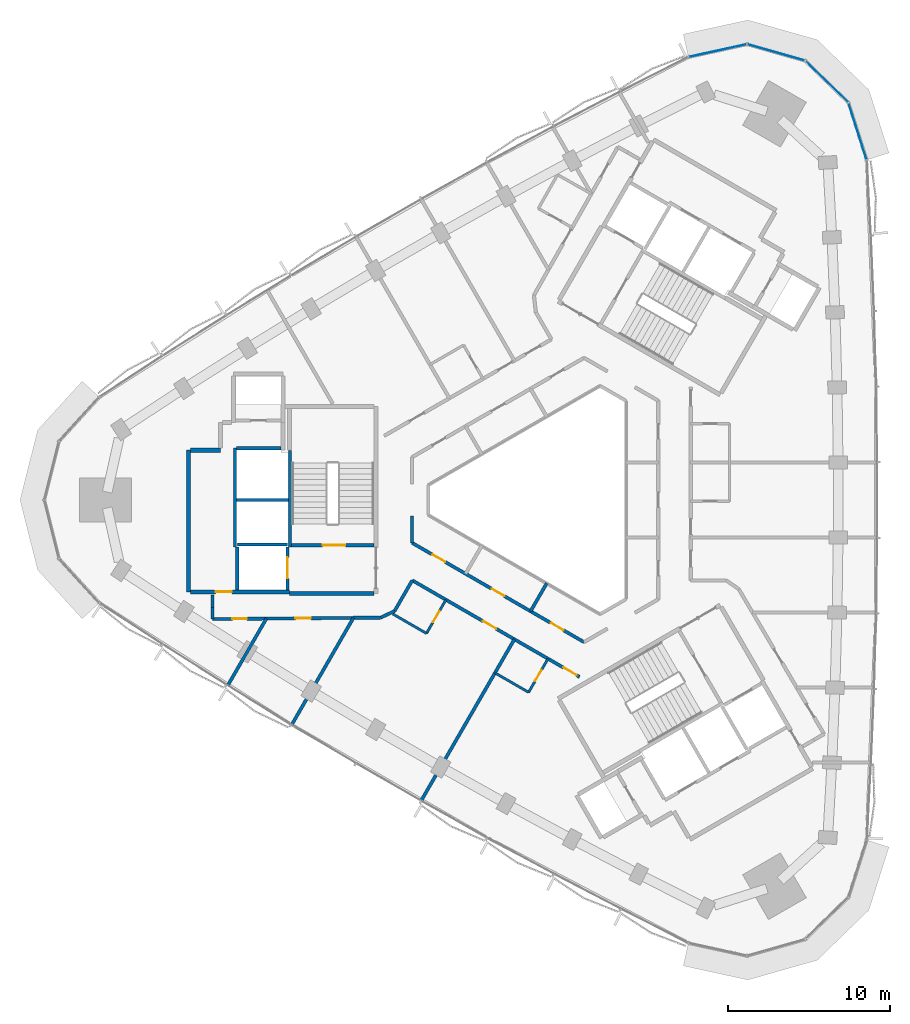
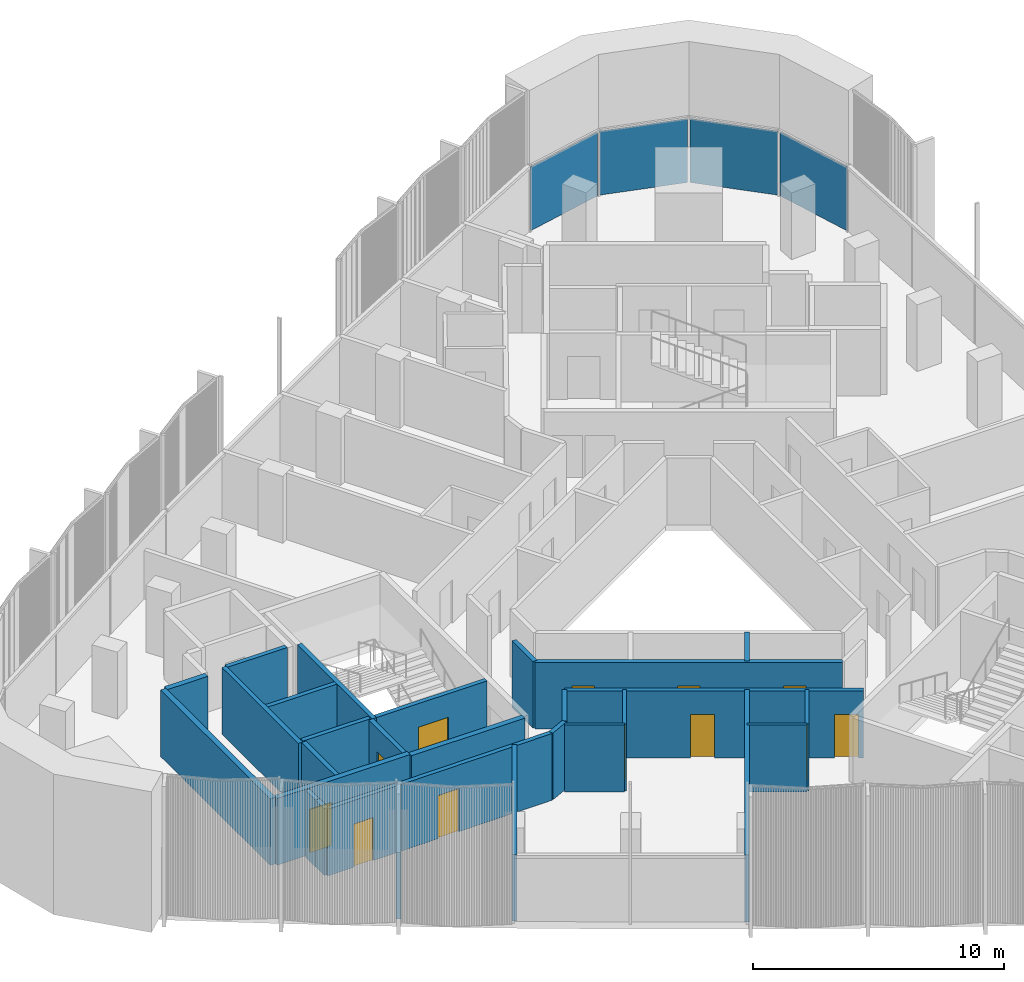
# One storey, part 7 of 14: 28 walls, 12 doors, 4 plates, 12 openings, 1 element without a shape of its own.
"""IFC4 building model written with IfcOpenShell, lengths in metres."""

from ifc_helpers import new_model, si_unit, direction, frame, frame_2d, origin, origin_2d, place, context, subcontext, project, spatial, rectangle, extrude, material, layer, layer_set, type_object, element, fill, aggregate, save


model = new_model("IFC4")

# Units and contexts
model_context = context("Model", 3, precision=1e-05, world=origin(), true_north=direction((0.0, 1.0)))
body_context = subcontext(model_context, "Body", "Model", "MODEL_VIEW")
ifc_project = project(units=[si_unit("LENGTHUNIT", "METRE"), si_unit("AREAUNIT", "SQUARE_METRE"), si_unit("VOLUMEUNIT", "CUBIC_METRE"), si_unit("PLANEANGLEUNIT", "RADIAN"), si_unit("MASSUNIT", "GRAM", prefix="KILO")], contexts=[model_context])

# Site, building, storey
site_placement = place(None, origin())
site = spatial("IfcSite", under=ifc_project, at=site_placement, CompositionType="ELEMENT")
building_placement = place(site_placement, origin())
building = spatial("IfcBuilding", under=site, at=building_placement, Name="Tamra Quay Hotel Tower", CompositionType="ELEMENT")
storey_placement = place(building_placement, frame((0.0, 0.0, 197.199951171875)))
storey = spatial("IfcBuildingStorey", under=building, at=storey_placement, Name="L49", CompositionType="ELEMENT", Elevation=197.199951171875)

# Curtain wall, plates
ifc_material_1 = material(Name="Aluminium 6063 anodised dark grey", Category="aluminium")
curtain_wall_type = type_object("IfcCurtainWallType", Name="CW1 CURTAIN WALL", PredefinedType="NOTDEFINED", material=ifc_material_1)
curtain_wall_placement = place(storey_placement, origin())
curtain_wall = element("IfcCurtainWall", 1, at=curtain_wall_placement, inside=storey, type_object=curtain_wall_type, Name="CW1 east face L49", PredefinedType="NOTDEFINED")
ifc_material_2 = material(Name="Glass clear laminated low-iron", Category="glass")
ifc_layer_1 = layer(ifc_material_2, 0.030029296875)
ifc_layer_set_1 = layer_set([ifc_layer_1], Name="GLASS PANEL CW1 Z4")
plate_type = type_object("IfcPlateType", Name="GLASS PANEL CW1 Z4", PredefinedType="CURTAIN_PANEL", material=ifc_layer_set_1)
plate_1_placement = place(storey_placement, frame((18.91064453125, 22.779541015625, 0.0), z_axis=(0.0, 0.0, 1.0), x_axis=(-0.303410479682, 0.952859948166, 0.0)))
plate_1 = element("IfcPlate", 2, at=plate_1_placement, type_object=plate_type, Name="CW1 glass L49.E.10", PredefinedType="CURTAIN_PANEL", context=body_context, shape_type="SweptSolid", body=[
    extrude(rectangle(XDim=3.62353515625, YDim=0.030029296875, at=origin_2d()), origin(), (0.0, 0.0, 1.0), 3.110107421875),
])
plate_2_placement = place(storey_placement, frame((17.009033203125, 25.849365234375, 0.0), z_axis=(0.0, 0.0, 1.0), x_axis=(-0.717974699393, 0.696069199888, 0.0)))
plate_2 = element("IfcPlate", 3, at=plate_2_placement, type_object=plate_type, Name="CW1 glass L49.E.11", PredefinedType="CURTAIN_PANEL", context=body_context, shape_type="SweptSolid", body=[
    extrude(rectangle(XDim=3.62353515625, YDim=0.030029296875, at=origin_2d()), origin(), (0.0, 0.0, 1.0), 3.110107421875),
])
plate_3_placement = place(storey_placement, frame((13.881591796875, 27.655029296875, 0.0), z_axis=(0.0, 0.0, 1.0), x_axis=(-0.961800959591, 0.273749729005, 0.0)))
plate_3 = element("IfcPlate", 4, at=plate_3_placement, type_object=plate_type, Name="CW1 glass L49.E.12", PredefinedType="CURTAIN_PANEL", context=body_context, shape_type="SweptSolid", body=[
    extrude(rectangle(XDim=3.62353515625, YDim=0.030029296875, at=origin_2d()), origin(), (0.0, 0.0, 1.0), 3.110107421875),
])
plate_4_placement = place(storey_placement, frame((10.272216796875, 27.766845703125, 0.0), z_axis=(0.0, 0.0, 1.0), x_axis=(-0.976906161202, -0.213668790904, 0.0)))
plate_4 = element("IfcPlate", 5, at=plate_4_placement, type_object=plate_type, Name="CW1 glass L49.E.13", PredefinedType="CURTAIN_PANEL", context=body_context, shape_type="SweptSolid", body=[
    extrude(rectangle(XDim=3.62353515625, YDim=0.030029296875, at=origin_2d()), origin(), (0.0, 0.0, 1.0), 3.110107421875),
])
aggregate(curtain_wall, [plate_1, plate_2, plate_3, plate_4])

# Walls
ifc_material_3 = material(Name="Concrete M70", Category="concrete")
ifc_layer_2 = layer(ifc_material_3, 0.199951171875)
ifc_layer_set_2 = layer_set([ifc_layer_2], Name="Concrete M70 core wall 200")
wall_type_1 = type_object("IfcWallType", Name="Concrete M70 core wall 200", PredefinedType="SHEAR", material=ifc_layer_set_2)
wall_1_placement = place(storey_placement, frame((-16.162109375, 3.073974609375, 0.0), z_axis=(0.0, 0.0, 1.0), x_axis=(0.0, -1.0, 0.0)))
element("IfcWall", 6, at=wall_1_placement, inside=storey, type_object=wall_type_1, Name="CW2", PredefinedType="SHEAR", context=body_context, shape_type="SweptSolid", body=[
    extrude(rectangle(XDim=5.97412109375, YDim=0.199951171875, at=frame_2d((2.987060546875, 0.0))), origin(), (0.0, 0.0, 1.0), 3.25),
])
wall_2_placement = place(storey_placement, frame((-19.5625, -2.900146484375, 0.0), z_axis=(0.0, 0.0, 1.0), x_axis=(0.0, 1.0, 0.0)))
element("IfcWall", 7, at=wall_2_placement, inside=storey, type_object=wall_type_1, Name="CW2", PredefinedType="SHEAR", context=body_context, shape_type="SweptSolid", body=[
    extrude(rectangle(XDim=6.100341796875, YDim=0.199951171875, at=frame_2d((3.05029296875, 0.0))), origin(), (0.0, 0.0, 1.0), 3.25),
])

# Wall, opening, door
wall_3_placement = place(storey_placement, frame((-10.96337890625, -2.800048828125, 0.0), z_axis=(0.0, 0.0, 1.0), x_axis=(-1.0, 0.0, 0.0)))
wall_3 = element("IfcWall", 8, at=wall_3_placement, inside=storey, type_object=wall_type_1, Name="CW2", PredefinedType="SHEAR", context=body_context, shape_type="SweptSolid", body=[
    extrude(rectangle(XDim=5.097900390625, YDim=0.199951171875, at=frame_2d((2.548828125, 0.0))), origin(), (0.0, 0.0, 1.0), 3.25),
])
opening_1_placement = place(wall_3_placement, frame((1.77392578125, 0.0, 0.0)))
opening_1 = element("IfcOpeningElement", 9, at=opening_1_placement, cuts=wall_3, Name="Opening FD2", PredefinedType="OPENING", context=body_context, shape_type="SweptSolid", body=[
    extrude(rectangle(XDim=1.39990234375, YDim=2.10009765625, at=frame_2d((0.699951171875, 1.050048828125))), frame((0.0, 0.10986328125, 0.0), z_axis=(0.0, -1.0, 0.0), x_axis=(1.0, 0.0, 0.0)), (0.0, 0.0, 1.0), 0.219970703125),
])
ifc_material_4 = material(Name="Core door FD2 1400x2100 RH")
door_type_1 = type_object("IfcDoorType", Name="Core door FD2 1400x2100 RH", OperationType="NOTDEFINED", PredefinedType="DOOR", material=ifc_material_4)
door_1_placement = place(opening_1_placement, origin())
door_1 = element("IfcDoor", 10, at=door_1_placement, inside=storey, type_object=door_type_1, Name="FD2", OperationType="SINGLE_SWING_RIGHT", OverallHeight=2.10009765625, OverallWidth=1.39990234375, PredefinedType="DOOR", context=body_context, shape_type="SweptSolid", body=[
    extrude(rectangle(XDim=1.39990234375, YDim=2.10009765625, at=frame_2d((0.699951171875, 1.050048828125))), frame((0.0, 0.02490234375, 0.0), z_axis=(0.0, -1.0, 0.0), x_axis=(1.0, 0.0, 0.0)), (0.0, 0.0, 1.0), 0.050048828125),
])
fill(opening_1, door_1)

# Walls
wall_4_placement = place(storey_placement, frame((-16.26318359375, 0.0, 0.0), z_axis=(0.0, 0.0, 1.0), x_axis=(-1.0, 0.0, 0.0)))
element("IfcWall", 11, at=wall_4_placement, inside=storey, type_object=wall_type_1, Name="CW2", PredefinedType="SHEAR", context=body_context, shape_type="SweptSolid", body=[
    extrude(rectangle(XDim=3.1982421875, YDim=0.199951171875, at=frame_2d((1.59912109375, 0.0))), origin(), (0.0, 0.0, 1.0), 3.25),
])
wall_5_placement = place(storey_placement, frame((-19.46240234375, 3.2001953125, 0.0), z_axis=(0.0, 0.0, 1.0), x_axis=(1.0, 0.0, 0.0)))
element("IfcWall", 12, at=wall_5_placement, inside=storey, type_object=wall_type_1, Name="CW2", PredefinedType="SHEAR", context=body_context, shape_type="SweptSolid", body=[
    extrude(rectangle(XDim=2.759033203125, YDim=0.199951171875, at=frame_2d((1.37939453125, 0.0))), origin(), (0.0, 0.0, 1.0), 3.25),
])
wall_6_placement = place(storey_placement, frame((-19.412353515625, -2.75, 0.0), z_axis=(0.0, 0.0, 1.0), x_axis=(1.0, 0.0, 0.0)))
element("IfcWall", 13, at=wall_6_placement, inside=storey, type_object=wall_type_1, Name="CW2", PredefinedType="SHEAR", context=body_context, shape_type="SweptSolid", body=[
    extrude(rectangle(XDim=3.10009765625, YDim=0.199951171875, at=frame_2d((1.550048828125, 0.0))), origin(), (0.0, 0.0, 1.0), 3.25),
])

# Wall, opening, door
wall_7_placement = place(storey_placement, frame((-16.312255859375, -2.898193359375, 0.0), z_axis=(0.0, 0.0, 1.0), x_axis=(0.0, -1.0, 0.0)))
wall_7 = element("IfcWall", 14, at=wall_7_placement, inside=storey, type_object=wall_type_1, Name="CW2", PredefinedType="SHEAR", context=body_context, shape_type="SweptSolid", body=[
    extrude(rectangle(XDim=2.65087890625, YDim=0.199951171875, at=frame_2d((1.325439453125, 0.0))), origin(), (0.0, 0.0, 1.0), 3.25),
])
opening_2_placement = place(wall_7_placement, frame((0.65185546875, 0.0, 0.0)))
opening_2 = element("IfcOpeningElement", 15, at=opening_2_placement, cuts=wall_7, Name="Opening LD", PredefinedType="OPENING", context=body_context, shape_type="SweptSolid", body=[
    extrude(rectangle(XDim=1.300048828125, YDim=2.10009765625, at=frame_2d((0.64990234375, 1.050048828125))), frame((0.0, 0.10986328125, 0.0), z_axis=(0.0, -1.0, 0.0), x_axis=(1.0, 0.0, 0.0)), (0.0, 0.0, 1.0), 0.219970703125),
])
ifc_material_5 = material(Name="Landing door LD 1300 sliding to right")
door_type_2 = type_object("IfcDoorType", Name="Landing door LD 1300 sliding to right", OperationType="NOTDEFINED", PredefinedType="DOOR", material=ifc_material_5)
door_2_placement = place(opening_2_placement, origin())
door_2 = element("IfcDoor", 16, at=door_2_placement, inside=storey, type_object=door_type_2, Name="LD", OperationType="SLIDING_TO_RIGHT", OverallHeight=2.10009765625, OverallWidth=1.300048828125, PredefinedType="DOOR", context=body_context, shape_type="SweptSolid", body=[
    extrude(rectangle(XDim=1.300048828125, YDim=2.10009765625, at=frame_2d((0.64990234375, 1.050048828125))), frame((0.0, 0.02490234375, 0.0), z_axis=(0.0, -1.0, 0.0), x_axis=(1.0, 0.0, 0.0)), (0.0, 0.0, 1.0), 0.050048828125),
])
fill(opening_2, door_2)

# Walls
wall_8_placement = place(storey_placement, frame((-19.412353515625, -5.549072265625, 0.0), z_axis=(0.0, 0.0, 1.0), x_axis=(0.0, 1.0, 0.0)))
element("IfcWall", 17, at=wall_8_placement, inside=storey, type_object=wall_type_1, Name="CW2", PredefinedType="SHEAR", context=body_context, shape_type="SweptSolid", body=[
    extrude(rectangle(XDim=2.65087890625, YDim=0.199951171875, at=frame_2d((1.325439453125, 0.0))), origin(), (0.0, 0.0, 1.0), 3.25),
])
ifc_layer_3 = layer(ifc_material_3, 0.25)
ifc_layer_set_3 = layer_set([ifc_layer_3], Name="Concrete M70 core wall 250")
wall_type_2 = type_object("IfcWallType", Name="Concrete M70 core wall 250", PredefinedType="SHEAR", material=ifc_layer_set_3)
wall_9_placement = place(storey_placement, frame((-22.437255859375, -5.675048828125, 0.0), z_axis=(0.0, 0.0, 1.0), x_axis=(0.0, 1.0, 0.0)))
element("IfcWall", 18, at=wall_9_placement, inside=storey, type_object=wall_type_2, Name="CW1", PredefinedType="SHEAR", context=body_context, shape_type="SweptSolid", body=[
    extrude(rectangle(XDim=8.75, YDim=0.25, at=frame_2d((4.375, 0.0))), origin(), (0.0, 0.0, 1.0), 3.25),
])

# Wall, opening, door
wall_10_placement = place(storey_placement, frame((-16.187255859375, -5.675048828125, 0.0), z_axis=(0.0, 0.0, 1.0), x_axis=(-1.0, 0.0, 0.0)))
wall_10 = element("IfcWall", 19, at=wall_10_placement, inside=storey, type_object=wall_type_2, Name="CW1", PredefinedType="SHEAR", context=body_context, shape_type="SweptSolid", body=[
    extrude(rectangle(XDim=6.12451171875, YDim=0.25, at=frame_2d((3.062255859375, 0.0))), origin(), (0.0, 0.0, 1.0), 3.25),
])
opening_3_placement = place(wall_10_placement, frame((3.562744140625, 0.0, 0.0)))
opening_3 = element("IfcOpeningElement", 20, at=opening_3_placement, cuts=wall_10, Name="Opening FD3", PredefinedType="OPENING", context=body_context, shape_type="SweptSolid", body=[
    extrude(rectangle(XDim=1.0, YDim=2.10009765625, at=frame_2d((0.5, 1.050048828125))), frame((0.0, 0.135009765625, 0.0), z_axis=(0.0, -1.0, 0.0), x_axis=(1.0, 0.0, 0.0)), (0.0, 0.0, 1.0), 0.27001953125),
])
ifc_material_6 = material(Name="Core door FD3 1000x2100 LH")
door_type_3 = type_object("IfcDoorType", Name="Core door FD3 1000x2100 LH", OperationType="NOTDEFINED", PredefinedType="DOOR", material=ifc_material_6)
door_3_placement = place(opening_3_placement, origin())
door_3 = element("IfcDoor", 21, at=door_3_placement, inside=storey, type_object=door_type_3, Name="FD3", OperationType="SINGLE_SWING_LEFT", OverallHeight=2.10009765625, OverallWidth=1.0, PredefinedType="DOOR", context=body_context, shape_type="SweptSolid", body=[
    extrude(rectangle(XDim=1.0, YDim=2.10009765625, at=frame_2d((0.5, 1.050048828125))), frame((0.0, 0.02490234375, 0.0), z_axis=(0.0, -1.0, 0.0), x_axis=(1.0, 0.0, 0.0)), (0.0, 0.0, 1.0), 0.050048828125),
])
fill(opening_3, door_3)

# Walls
wall_11_placement = place(storey_placement, frame((-10.962646484375, -5.77490234375, 0.0), z_axis=(0.0, 0.0, 1.0), x_axis=(-1.0, 0.0, 0.0)))
element("IfcWall", 22, at=wall_11_placement, inside=storey, type_object=wall_type_2, Name="CW1", PredefinedType="SHEAR", context=body_context, shape_type="SweptSolid", body=[
    extrude(rectangle(XDim=5.224609375, YDim=0.25, at=frame_2d((2.6123046875, 0.0))), origin(), (0.0, 0.0, 1.0), 3.25),
])
wall_12_placement = place(storey_placement, frame((-22.311767578125, 3.074951171875, 0.0), z_axis=(0.0, 0.0, 1.0), x_axis=(1.0, 0.0, 0.0)))
element("IfcWall", 23, at=wall_12_placement, inside=storey, type_object=wall_type_2, Name="CW1", PredefinedType="SHEAR", context=body_context, shape_type="SweptSolid", body=[
    extrude(rectangle(XDim=1.864501953125, YDim=0.25, at=frame_2d((0.93212890625, 0.0))), origin(), (0.0, 0.0, 1.0), 3.25),
])
ifc_material_7 = material(Name="Partition corridor wall")
ifc_layer_4 = layer(ifc_material_7, 0.199951171875)
ifc_layer_set_4 = layer_set([ifc_layer_4], Name="Partition corridor wall")
wall_type_3 = type_object("IfcWallType", Name="Partition corridor wall", PredefinedType="PARTITIONING", material=ifc_layer_set_4)
wall_13_placement = place(storey_placement, frame((-20.949951171875, -6.64990234375, 0.0), z_axis=(0.0, 0.0, 1.0), x_axis=(0.0, 1.0, 0.0)))
element("IfcWall", 24, at=wall_13_placement, inside=storey, type_object=wall_type_3, Name="W-C", PredefinedType="PARTITIONING", context=body_context, shape_type="SweptSolid", body=[
    extrude(rectangle(XDim=0.789794921875, YDim=0.199951171875, at=frame_2d((0.39501953125, 0.0))), origin(), (0.0, 0.0, 1.0), 3.25),
])
wall_14_placement = place(storey_placement, frame((-20.947021484375, -6.653076171875, 0.0), z_axis=(0.0, 0.0, 1.0), x_axis=(0.004173876686, -0.999991289339, 0.0)))
element("IfcWall", 25, at=wall_14_placement, inside=storey, type_object=wall_type_3, Name="W-C", PredefinedType="PARTITIONING", context=body_context, shape_type="SweptSolid", body=[
    extrude(rectangle(XDim=0.701904296875, YDim=0.199951171875, at=frame_2d((0.35107421875, 0.0))), origin(), (0.0, 0.0, 1.0), 3.25),
])

# Wall, openings, doors
wall_15_placement = place(storey_placement, frame((-20.944091796875, -7.35595703125, 0.0), z_axis=(0.0, 0.0, 1.0), x_axis=(0.999964824566, 0.00838746869, 0.0)))
wall_15 = element("IfcWall", 26, at=wall_15_placement, inside=storey, type_object=wall_type_3, Name="W-C", PredefinedType="PARTITIONING", context=body_context, shape_type="SweptSolid", body=[
    extrude(rectangle(XDim=10.391357421875, YDim=0.199951171875, at=frame_2d((5.19580078125, 0.0))), origin(), (0.0, 0.0, 1.0), 3.25),
])
opening_4_placement = place(wall_15_placement, frame((1.22021484375, 0.0, 0.0)))
opening_4 = element("IfcOpeningElement", 27, at=opening_4_placement, cuts=wall_15, Name="Opening L49-D015", PredefinedType="OPENING", context=body_context, shape_type="SweptSolid", body=[
    extrude(rectangle(XDim=0.89990234375, YDim=2.10009765625, at=frame_2d((0.449951171875, 1.050048828125))), frame((0.0, 0.10986328125, 0.0), z_axis=(0.0, -1.0, 0.0), x_axis=(1.0, 0.0, 0.0)), (0.0, 0.0, 1.0), 0.219970703125),
])
opening_5_placement = place(wall_15_placement, frame((5.119384765625, 0.0, 0.0)))
opening_5 = element("IfcOpeningElement", 28, at=opening_5_placement, cuts=wall_15, Name="Opening L49-D016", PredefinedType="OPENING", context=body_context, shape_type="SweptSolid", body=[
    extrude(rectangle(XDim=0.949951171875, YDim=2.10009765625, at=frame_2d((0.47509765625, 1.050048828125))), frame((0.0, 0.10986328125, 0.0), z_axis=(0.0, -1.0, 0.0), x_axis=(1.0, 0.0, 0.0)), (0.0, 0.0, 1.0), 0.219970703125),
])
ifc_material_8 = material(Name="Door guest room 950x2100")
door_type_4 = type_object("IfcDoorType", Name="Door guest room 950x2100", OperationType="NOTDEFINED", PredefinedType="DOOR", material=ifc_material_8)
door_4_placement = place(opening_5_placement, frame((0.949951171875, 0.0, 0.0), z_axis=(0.0, 0.0, 1.0), x_axis=(-1.0, 0.0, 0.0)))
door_4 = element("IfcDoor", 29, at=door_4_placement, inside=storey, type_object=door_type_4, Name="L49-D016", OperationType="SINGLE_SWING_LEFT", OverallHeight=2.10009765625, OverallWidth=0.949951171875, PredefinedType="DOOR", context=body_context, shape_type="SweptSolid", body=[
    extrude(rectangle(XDim=0.949951171875, YDim=2.10009765625, at=frame_2d((0.47509765625, 1.050048828125))), frame((0.0, 0.02490234375, 0.0), z_axis=(0.0, -1.0, 0.0), x_axis=(1.0, 0.0, 0.0)), (0.0, 0.0, 1.0), 0.050048828125),
])
fill(opening_5, door_4)
ifc_material_9 = material(Name="Door service room 900x2100")
door_type_5 = type_object("IfcDoorType", Name="Door service room 900x2100", OperationType="NOTDEFINED", PredefinedType="DOOR", material=ifc_material_9)
door_5_placement = place(opening_4_placement, origin())
door_5 = element("IfcDoor", 30, at=door_5_placement, inside=storey, type_object=door_type_5, Name="L49-D015", OperationType="SINGLE_SWING_LEFT", OverallHeight=2.10009765625, OverallWidth=0.89990234375, PredefinedType="DOOR", context=body_context, shape_type="SweptSolid", body=[
    extrude(rectangle(XDim=0.89990234375, YDim=2.10009765625, at=frame_2d((0.449951171875, 1.050048828125))), frame((0.0, 0.02490234375, 0.0), z_axis=(0.0, -1.0, 0.0), x_axis=(1.0, 0.0, 0.0)), (0.0, 0.0, 1.0), 0.050048828125),
])
fill(opening_4, door_5)

# Walls
wall_16_placement = place(storey_placement, frame((-10.552001953125, -7.26806640625, 0.0), z_axis=(0.0, 0.0, 1.0), x_axis=(0.904331815333, 0.426830139255, 0.0)))
element("IfcWall", 31, at=wall_16_placement, inside=storey, type_object=wall_type_3, Name="W-C", PredefinedType="PARTITIONING", context=body_context, shape_type="SweptSolid", body=[
    extrude(rectangle(XDim=0.9443359375, YDim=0.199951171875, at=frame_2d((0.47216796875, 0.0))), origin(), (0.0, 0.0, 1.0), 3.25),
])
wall_17_placement = place(storey_placement, frame((-9.697021484375, -6.864013671875, 0.0), z_axis=(0.0, 0.0, 1.0), x_axis=(0.499863831834, 0.866104006239, 0.0)))
element("IfcWall", 32, at=wall_17_placement, inside=storey, type_object=wall_type_3, Name="W-C", PredefinedType="PARTITIONING", context=body_context, shape_type="SweptSolid", body=[
    extrude(rectangle(XDim=2.1923828125, YDim=0.199951171875, at=frame_2d((1.09619140625, 0.0))), origin(), (0.0, 0.0, 1.0), 3.25),
])
wall_18_placement = place(storey_placement, frame((-8.612060546875, -2.64892578125, 0.0), z_axis=(0.0, 0.0, 1.0), x_axis=(0.0, 1.0, 0.0)))
element("IfcWall", 33, at=wall_18_placement, inside=storey, type_object=wall_type_3, Name="W-C", PredefinedType="PARTITIONING", context=body_context, shape_type="SweptSolid", body=[
    extrude(rectangle(XDim=1.6669921875, YDim=0.199951171875, at=frame_2d((0.83349609375, 0.0))), origin(), (0.0, 0.0, 1.0), 3.25),
])

# Wall, openings, doors
wall_19_placement = place(storey_placement, frame((-8.612060546875, -2.64892578125, 0.0), z_axis=(0.0, 0.0, 1.0), x_axis=(0.866060983284, -0.499938369435, 0.0)))
wall_19 = element("IfcWall", 34, at=wall_19_placement, inside=storey, type_object=wall_type_3, Name="W-C", PredefinedType="PARTITIONING", context=body_context, shape_type="SweptSolid", body=[
    extrude(rectangle(XDim=12.267578125, YDim=0.199951171875, at=frame_2d((6.1337890625, 0.0))), origin(), (0.0, 0.0, 1.0), 3.25),
])
opening_6_placement = place(wall_19_placement, frame((1.46337890625, 0.0, 0.0)))
opening_6 = element("IfcOpeningElement", 35, at=opening_6_placement, cuts=wall_19, Name="Opening L49-D027", PredefinedType="OPENING", context=body_context, shape_type="SweptSolid", body=[
    extrude(rectangle(XDim=0.89990234375, YDim=2.10009765625, at=frame_2d((0.449951171875, 1.050048828125))), frame((0.0, 0.10986328125, 0.0), z_axis=(0.0, -1.0, 0.0), x_axis=(1.0, 0.0, 0.0)), (0.0, 0.0, 1.0), 0.219970703125),
])
opening_7_placement = place(wall_19_placement, frame((5.683349609375, 0.0, 0.0)))
opening_7 = element("IfcOpeningElement", 36, at=opening_7_placement, cuts=wall_19, Name="Opening L49-D028", PredefinedType="OPENING", context=body_context, shape_type="SweptSolid", body=[
    extrude(rectangle(XDim=0.89990234375, YDim=2.10009765625, at=frame_2d((0.449951171875, 1.050048828125))), frame((0.0, 0.10986328125, 0.0), z_axis=(0.0, -1.0, 0.0), x_axis=(1.0, 0.0, 0.0)), (0.0, 0.0, 1.0), 0.219970703125),
])
opening_8_placement = place(wall_19_placement, frame((9.904052734375, 0.0, 0.0)))
opening_8 = element("IfcOpeningElement", 37, at=opening_8_placement, cuts=wall_19, Name="Opening L49-D029", PredefinedType="OPENING", context=body_context, shape_type="SweptSolid", body=[
    extrude(rectangle(XDim=0.89990234375, YDim=2.10009765625, at=frame_2d((0.449951171875, 1.050048828125))), frame((0.0, 0.10986328125, 0.0), z_axis=(0.0, -1.0, 0.0), x_axis=(1.0, 0.0, 0.0)), (0.0, 0.0, 1.0), 0.219970703125),
])
door_6_placement = place(opening_6_placement, origin())
door_6 = element("IfcDoor", 38, at=door_6_placement, inside=storey, type_object=door_type_5, Name="L49-D027", OperationType="SINGLE_SWING_LEFT", OverallHeight=2.10009765625, OverallWidth=0.89990234375, PredefinedType="DOOR", context=body_context, shape_type="SweptSolid", body=[
    extrude(rectangle(XDim=0.89990234375, YDim=2.10009765625, at=frame_2d((0.449951171875, 1.050048828125))), frame((0.0, 0.02490234375, 0.0), z_axis=(0.0, -1.0, 0.0), x_axis=(1.0, 0.0, 0.0)), (0.0, 0.0, 1.0), 0.050048828125),
])
fill(opening_6, door_6)
door_7_placement = place(opening_7_placement, origin())
door_7 = element("IfcDoor", 39, at=door_7_placement, inside=storey, type_object=door_type_5, Name="L49-D028", OperationType="SINGLE_SWING_LEFT", OverallHeight=2.10009765625, OverallWidth=0.89990234375, PredefinedType="DOOR", context=body_context, shape_type="SweptSolid", body=[
    extrude(rectangle(XDim=0.89990234375, YDim=2.10009765625, at=frame_2d((0.449951171875, 1.050048828125))), frame((0.0, 0.02490234375, 0.0), z_axis=(0.0, -1.0, 0.0), x_axis=(1.0, 0.0, 0.0)), (0.0, 0.0, 1.0), 0.050048828125),
])
fill(opening_7, door_7)
door_8_placement = place(opening_8_placement, origin())
door_8 = element("IfcDoor", 40, at=door_8_placement, inside=storey, type_object=door_type_5, Name="L49-D029", OperationType="SINGLE_SWING_LEFT", OverallHeight=2.10009765625, OverallWidth=0.89990234375, PredefinedType="DOOR", context=body_context, shape_type="SweptSolid", body=[
    extrude(rectangle(XDim=0.89990234375, YDim=2.10009765625, at=frame_2d((0.449951171875, 1.050048828125))), frame((0.0, 0.02490234375, 0.0), z_axis=(0.0, -1.0, 0.0), x_axis=(1.0, 0.0, 0.0)), (0.0, 0.0, 1.0), 0.050048828125),
])
fill(opening_8, door_8)

wall_20_placement = place(storey_placement, frame((-8.600830078125, -4.964599609375, 0.0), z_axis=(0.0, 0.0, 1.0), x_axis=(0.866011155539, -0.500024677872, 0.0)))
wall_20 = element("IfcWall", 41, at=wall_20_placement, inside=storey, type_object=wall_type_3, Name="W-C", PredefinedType="PARTITIONING", context=body_context, shape_type="SweptSolid", body=[
    extrude(rectangle(XDim=11.93408203125, YDim=0.199951171875, at=frame_2d((5.967041015625, 0.0))), origin(), (0.0, 0.0, 1.0), 3.25),
])
opening_9_placement = place(wall_20_placement, frame((5.038818359375, 0.0, 0.0)))
opening_9 = element("IfcOpeningElement", 42, at=opening_9_placement, cuts=wall_20, Name="Opening L49-D017", PredefinedType="OPENING", context=body_context, shape_type="SweptSolid", body=[
    extrude(rectangle(XDim=0.949951171875, YDim=2.10009765625, at=frame_2d((0.47509765625, 1.050048828125))), frame((0.0, 0.10986328125, 0.0), z_axis=(0.0, -1.0, 0.0), x_axis=(1.0, 0.0, 0.0)), (0.0, 0.0, 1.0), 0.219970703125),
])
opening_10_placement = place(wall_20_placement, frame((10.783935546875, 0.0, 0.0)))
opening_10 = element("IfcOpeningElement", 43, at=opening_10_placement, cuts=wall_20, Name="Opening L49-D019", PredefinedType="OPENING", context=body_context, shape_type="SweptSolid", body=[
    extrude(rectangle(XDim=0.949951171875, YDim=2.10009765625, at=frame_2d((0.47509765625, 1.050048828125))), frame((0.0, 0.10986328125, 0.0), z_axis=(0.0, -1.0, 0.0), x_axis=(1.0, 0.0, 0.0)), (0.0, 0.0, 1.0), 0.219970703125),
])
door_9_placement = place(opening_9_placement, frame((0.949951171875, 0.0, 0.0), z_axis=(0.0, 0.0, 1.0), x_axis=(-1.0, 0.0, 0.0)))
door_9 = element("IfcDoor", 44, at=door_9_placement, inside=storey, type_object=door_type_4, Name="L49-D017", OperationType="SINGLE_SWING_LEFT", OverallHeight=2.10009765625, OverallWidth=0.949951171875, PredefinedType="DOOR", context=body_context, shape_type="SweptSolid", body=[
    extrude(rectangle(XDim=0.949951171875, YDim=2.10009765625, at=frame_2d((0.47509765625, 1.050048828125))), frame((0.0, 0.02490234375, 0.0), z_axis=(0.0, -1.0, 0.0), x_axis=(1.0, 0.0, 0.0)), (0.0, 0.0, 1.0), 0.050048828125),
])
fill(opening_9, door_9)
door_10_placement = place(opening_10_placement, frame((0.949951171875, 0.0, 0.0), z_axis=(0.0, 0.0, 1.0), x_axis=(-1.0, 0.0, 0.0)))
door_10 = element("IfcDoor", 45, at=door_10_placement, inside=storey, type_object=door_type_4, Name="L49-D019", OperationType="SINGLE_SWING_LEFT", OverallHeight=2.10009765625, OverallWidth=0.949951171875, PredefinedType="DOOR", context=body_context, shape_type="SweptSolid", body=[
    extrude(rectangle(XDim=0.949951171875, YDim=2.10009765625, at=frame_2d((0.47509765625, 1.050048828125))), frame((0.0, 0.02490234375, 0.0), z_axis=(0.0, -1.0, 0.0), x_axis=(1.0, 0.0, 0.0)), (0.0, 0.0, 1.0), 0.050048828125),
])
fill(opening_10, door_10)

# Wall
ifc_material_10 = material(Name="Partition en-suite wall")
ifc_layer_5 = layer(ifc_material_10, 0.14990234375)
ifc_layer_set_5 = layer_set([ifc_layer_5], Name="Partition en-suite wall")
wall_type_4 = type_object("IfcWallType", Name="Partition en-suite wall", PredefinedType="PARTITIONING", material=ifc_layer_set_5)
wall_21_placement = place(storey_placement, frame((-9.801025390625, -7.0439453125, 0.0), z_axis=(0.0, 0.0, 1.0), x_axis=(0.866277021052, -0.499563932643, 0.0)))
element("IfcWall", 46, at=wall_21_placement, inside=storey, type_object=wall_type_4, Name="W-E", PredefinedType="PARTITIONING", context=body_context, shape_type="SweptSolid", body=[
    extrude(rectangle(XDim=2.400146484375, YDim=0.14990234375, at=frame_2d((1.2001953125, 0.0))), origin(), (0.0, 0.0, 1.0), 3.25),
])

# Wall, opening, door
wall_22_placement = place(storey_placement, frame((-7.721923828125, -8.242919921875, 0.0), z_axis=(0.0, 0.0, 1.0), x_axis=(0.500089422704, 0.865973769406, 0.0)))
wall_22 = element("IfcWall", 47, at=wall_22_placement, inside=storey, type_object=wall_type_4, Name="W-E", PredefinedType="PARTITIONING", context=body_context, shape_type="SweptSolid", body=[
    extrude(rectangle(XDim=2.3994140625, YDim=0.14990234375, at=frame_2d((1.19970703125, 0.0))), origin(), (0.0, 0.0, 1.0), 3.25),
])
opening_11_placement = place(wall_22_placement, frame((0.799560546875, 0.0, 0.0)))
opening_11 = element("IfcOpeningElement", 48, at=opening_11_placement, cuts=wall_22, Name="Opening L49-D018", PredefinedType="OPENING", context=body_context, shape_type="SweptSolid", body=[
    extrude(rectangle(XDim=0.800048828125, YDim=2.10009765625, at=frame_2d((0.39990234375, 1.050048828125))), frame((0.0, 0.0849609375, 0.0), z_axis=(0.0, -1.0, 0.0), x_axis=(1.0, 0.0, 0.0)), (0.0, 0.0, 1.0), 0.169921875),
])
ifc_material_11 = material(Name="Door en-suite 800x2100")
door_type_6 = type_object("IfcDoorType", Name="Door en-suite 800x2100", OperationType="NOTDEFINED", PredefinedType="DOOR", material=ifc_material_11)
door_11_placement = place(opening_11_placement, frame((0.800048828125, 0.0, 0.0), z_axis=(0.0, 0.0, 1.0), x_axis=(-1.0, 0.0, 0.0)))
door_11 = element("IfcDoor", 49, at=door_11_placement, inside=storey, type_object=door_type_6, Name="L49-D018", OperationType="SINGLE_SWING_LEFT", OverallHeight=2.10009765625, OverallWidth=0.800048828125, PredefinedType="DOOR", context=body_context, shape_type="SweptSolid", body=[
    extrude(rectangle(XDim=0.800048828125, YDim=2.10009765625, at=frame_2d((0.39990234375, 1.050048828125))), frame((0.0, 0.02490234375, 0.0), z_axis=(0.0, -1.0, 0.0), x_axis=(1.0, 0.0, 0.0)), (0.0, 0.0, 1.0), 0.050048828125),
])
fill(opening_11, door_11)

# Wall
wall_23_placement = place(storey_placement, frame((-3.490966796875, -10.68310546875, 0.0), z_axis=(0.0, 0.0, 1.0), x_axis=(0.866249990711, -0.499610802118, 0.0)))
element("IfcWall", 50, at=wall_23_placement, inside=storey, type_object=wall_type_4, Name="W-E", PredefinedType="PARTITIONING", context=body_context, shape_type="SweptSolid", body=[
    extrude(rectangle(XDim=2.39794921875, YDim=0.14990234375, at=frame_2d((1.198974609375, 0.0))), origin(), (0.0, 0.0, 1.0), 3.25),
])

# Wall, opening, door
wall_24_placement = place(storey_placement, frame((-1.410888671875, -11.882080078125, 0.0), z_axis=(0.0, 0.0, 1.0), x_axis=(0.49923627015, 0.866465894635, 0.0)))
wall_24 = element("IfcWall", 51, at=wall_24_placement, inside=storey, type_object=wall_type_4, Name="W-E", PredefinedType="PARTITIONING", context=body_context, shape_type="SweptSolid", body=[
    extrude(rectangle(XDim=2.391357421875, YDim=0.14990234375, at=frame_2d((1.19580078125, 0.0))), origin(), (0.0, 0.0, 1.0), 3.25),
])
opening_12_placement = place(wall_24_placement, frame((0.795654296875, 0.0, 0.0)))
opening_12 = element("IfcOpeningElement", 52, at=opening_12_placement, cuts=wall_24, Name="Opening L49-D020", PredefinedType="OPENING", context=body_context, shape_type="SweptSolid", body=[
    extrude(rectangle(XDim=0.800048828125, YDim=2.10009765625, at=frame_2d((0.39990234375, 1.050048828125))), frame((0.0, 0.0849609375, 0.0), z_axis=(0.0, -1.0, 0.0), x_axis=(1.0, 0.0, 0.0)), (0.0, 0.0, 1.0), 0.169921875),
])
door_12_placement = place(opening_12_placement, frame((0.800048828125, 0.0, 0.0), z_axis=(0.0, 0.0, 1.0), x_axis=(-1.0, 0.0, 0.0)))
door_12 = element("IfcDoor", 53, at=door_12_placement, inside=storey, type_object=door_type_6, Name="L49-D020", OperationType="SINGLE_SWING_LEFT", OverallHeight=2.10009765625, OverallWidth=0.800048828125, PredefinedType="DOOR", context=body_context, shape_type="SweptSolid", body=[
    extrude(rectangle(XDim=0.800048828125, YDim=2.10009765625, at=frame_2d((0.39990234375, 1.050048828125))), frame((0.0, 0.02490234375, 0.0), z_axis=(0.0, -1.0, 0.0), x_axis=(1.0, 0.0, 0.0)), (0.0, 0.0, 1.0), 0.050048828125),
])
fill(opening_12, door_12)

# Walls
ifc_material_12 = material(Name="Partition party wall")
ifc_layer_6 = layer(ifc_material_12, 0.199951171875)
ifc_layer_set_6 = layer_set([ifc_layer_6], Name="Partition party wall")
wall_type_5 = type_object("IfcWallType", Name="Partition party wall", PredefinedType="PARTITIONING", material=ifc_layer_set_6)
wall_25_placement = place(storey_placement, frame((-20.000732421875, -11.461181640625, 0.0), z_axis=(0.0, 0.0, 1.0), x_axis=(0.499749027893, 0.866170254119, 0.0)))
element("IfcWall", 54, at=wall_25_placement, inside=storey, type_object=wall_type_5, Name="W-P", PredefinedType="PARTITIONING", context=body_context, shape_type="SweptSolid", body=[
    extrude(rectangle(XDim=4.77197265625, YDim=0.199951171875, at=frame_2d((2.385986328125, 0.0))), origin(), (0.0, 0.0, 1.0), 3.25),
])
wall_26_placement = place(storey_placement, frame((-16.050048828125, -13.889892578125, 0.0), z_axis=(0.0, 0.0, 1.0), x_axis=(0.499849898665, 0.866112047488, 0.0)))
element("IfcWall", 55, at=wall_26_placement, inside=storey, type_object=wall_type_5, Name="W-P", PredefinedType="PARTITIONING", context=body_context, shape_type="SweptSolid", body=[
    extrude(rectangle(XDim=7.628173828125, YDim=0.199951171875, at=frame_2d((3.81396484375, 0.0))), origin(), (0.0, 0.0, 1.0), 3.25),
])
wall_27_placement = place(storey_placement, frame((-8.051513671875, -18.58203125, 0.0), z_axis=(0.0, 0.0, 1.0), x_axis=(0.500025795397, 0.866010510293, 0.0)))
element("IfcWall", 56, at=wall_27_placement, inside=storey, type_object=wall_type_5, Name="W-P", PredefinedType="PARTITIONING", context=body_context, shape_type="SweptSolid", body=[
    extrude(rectangle(XDim=11.5185546875, YDim=0.199951171875, at=frame_2d((5.75927734375, 0.0))), origin(), (0.0, 0.0, 1.0), 3.25),
])
wall_28_placement = place(storey_placement, frame((-1.2919921875, -6.875, 0.0), z_axis=(0.0, 0.0, 1.0), x_axis=(0.50011692451, 0.865957886862, 0.0)))
element("IfcWall", 57, at=wall_28_placement, inside=storey, type_object=wall_type_5, Name="W-P", PredefinedType="PARTITIONING", context=body_context, shape_type="SweptSolid", body=[
    extrude(rectangle(XDim=2.0, YDim=0.199951171875, at=frame_2d((1.0, 0.0))), origin(), (0.0, 0.0, 1.0), 3.25),
])

save(model, "model.ifc")
